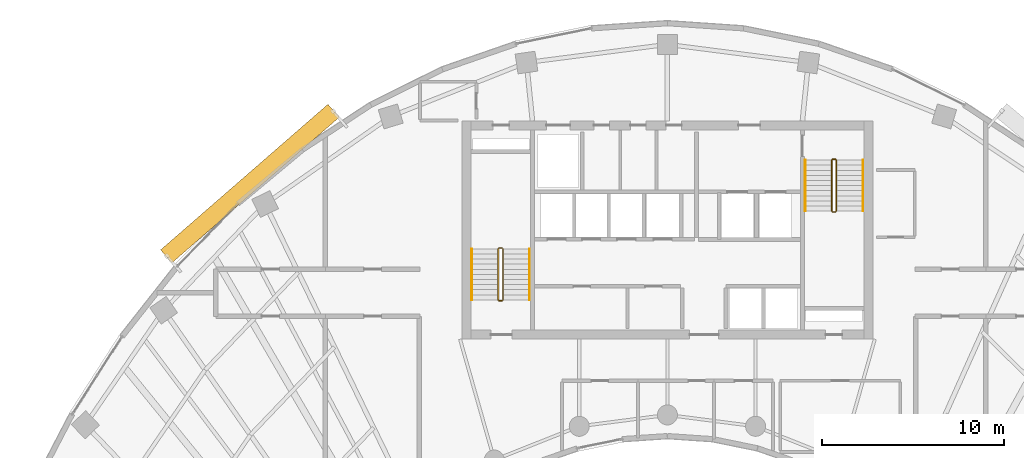
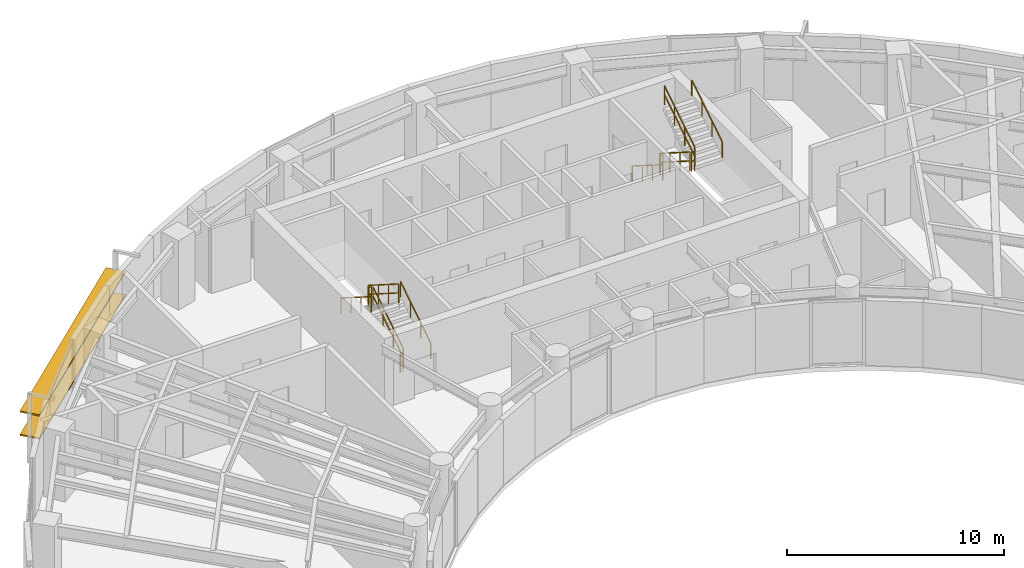
# One storey, part 13 of 14: 12 railings, 2 shading devices.
"""IFC4 building model written with IfcOpenShell, lengths in metres."""

import ifcopenshell
import ifcopenshell.guid

model = None  # the IFC model being written
_history = None  # IfcOwnerHistory: only IFC2X3 demands one
_inside = {}  # id of a spatial element -> (the spatial element, [elements in it])
_under = {}  # id of a project, library or spatial element -> (it, [spatial elements below it])
_declared = {}  # id of a project -> (the project, [libraries it declares])
_typed = {}  # id of a type object -> (the type object, [elements of that type])
_made_of = {}  # id of a material, layer set ... -> (it, [elements and type objects made of it])


def new_model(schema):
    """Start an empty IFC model of exactly this schema.

    Asked for "IFC4X3", IfcOpenShell would pick the latest addendum, in which some entities
    have other attributes; the version numbers below select the first issue.
    IFC2X3 requires an IfcOwnerHistory on every rooted entity: one is made here for all.
    """
    global model, _history
    if schema == "IFC4X3":
        model = ifcopenshell.file(schema_version=(4, 3, 0, 0))
    else:
        model = ifcopenshell.file(schema=schema)
    _inside.clear()
    _under.clear()
    _declared.clear()
    _typed.clear()
    _made_of.clear()
    _history = None
    if model.schema == "IFC2X3":
        org = make("IfcOrganization", Name="unknown")
        user = make(
            "IfcPersonAndOrganization",
            ThePerson=make("IfcPerson", FamilyName="unknown"),
            TheOrganization=org,
        )
        app = make(
            "IfcApplication",
            ApplicationDeveloper=org,
            Version="unknown",
            ApplicationFullName="unknown",
            ApplicationIdentifier="unknown",
        )
        _history = make(
            "IfcOwnerHistory",
            OwningUser=user,
            OwningApplication=app,
            ChangeAction="ADDED",
            CreationDate=0,
        )
    return model


def make(cls, **values):
    """One entity of the class cls with the attributes given. An attribute that is None is left unset."""
    return model.create_entity(
        cls, **{name: value for name, value in values.items() if value is not None}
    )


def rooted(cls, **values):
    """An entity with a GlobalId (a new one), such as an element, a storey or a relation."""
    return make(cls, GlobalId=ifcopenshell.guid.new(), OwnerHistory=_history, **values)


def si_unit(unit_type, name, prefix=None):
    """IfcSIUnit, for example si_unit("LENGTHUNIT", "METRE", prefix="MILLI")."""
    return make("IfcSIUnit", UnitType=unit_type, Prefix=prefix, Name=name)


def assignment(units):
    """IfcUnitAssignment: the units of a project."""
    return None if units is None else make("IfcUnitAssignment", Units=units)


def point(xyz):
    """IfcCartesianPoint."""
    return None if xyz is None else make("IfcCartesianPoint", Coordinates=xyz)


def direction(xyz):
    """IfcDirection."""
    return None if xyz is None else make("IfcDirection", DirectionRatios=xyz)


def frame(location, z_axis=None, x_axis=None):
    """IfcAxis2Placement3D, a coordinate frame: its origin and axes. An axis left out is left unset."""
    return make(
        "IfcAxis2Placement3D",
        Location=point(location),
        Axis=direction(z_axis),
        RefDirection=direction(x_axis),
    )


def frame_2d(location, x_axis=None):
    """IfcAxis2Placement2D, a coordinate frame in the plane: its origin and x axis."""
    return make(
        "IfcAxis2Placement2D", Location=point(location), RefDirection=direction(x_axis)
    )


def origin():
    """The frame at (0, 0, 0) with its axes left unset."""
    return frame((0.0, 0.0, 0.0))


def origin_2d():
    """The frame at (0, 0) in the plane with its x axis left unset."""
    return frame_2d((0.0, 0.0))


def place(relative_to, where):
    """IfcLocalPlacement: puts the frame where relative to a parent placement (None: the world)."""
    return make(
        "IfcLocalPlacement", PlacementRelTo=relative_to, RelativePlacement=where
    )


def context(
    kind, dimensions, precision=None, world=None, true_north=None, identifier=None
):
    """IfcGeometricRepresentationContext, for example the 3D "Model" context."""
    return make(
        "IfcGeometricRepresentationContext",
        ContextIdentifier=identifier,
        ContextType=kind,
        CoordinateSpaceDimension=dimensions,
        Precision=precision,
        WorldCoordinateSystem=world,
        TrueNorth=true_north,
    )


def subcontext(parent, identifier, kind, view, scale=None):
    """IfcGeometricRepresentationSubContext, for example "Body" below "Model"."""
    return make(
        "IfcGeometricRepresentationSubContext",
        ContextIdentifier=identifier,
        ContextType=kind,
        ParentContext=parent,
        TargetScale=scale,
        TargetView=view,
    )


def project(units=None, contexts=None):
    """IfcProject with its units and contexts."""
    return rooted(
        "IfcProject",
        Name="project",
        RepresentationContexts=contexts,
        UnitsInContext=assignment(units),
    )


def spatial(cls, under=None, at=None, **own):
    """A site, building, storey or space (cls), placed at a placement, below another one or the project."""
    s = rooted(cls, ObjectPlacement=at, **own)
    if under is not None:
        _under.setdefault(under.id(), (under, []))[1].append(s)
    return s


def profile(cls, at=None, kind="AREA", **sizes):
    """A parametric profile (cls). Its sizes go by their IFC names, for example OverallWidth=200.0."""
    return make(cls, ProfileType=kind, Position=at, **sizes)


def rectangle(**sizes):
    """IfcRectangleProfileDef."""
    return profile("IfcRectangleProfileDef", **sizes)


def extrude(swept, where, along, depth):
    """IfcExtrudedAreaSolid: the profile swept, set in the frame where, extruded along a direction by depth."""
    return make(
        "IfcExtrudedAreaSolid",
        SweptArea=swept,
        Position=where,
        ExtrudedDirection=direction(along),
        Depth=depth,
    )


def shape(context_of_items, identifier, shape_type, items):
    """IfcShapeRepresentation: the items that make up one representation, for example the "Body"."""
    return make(
        "IfcShapeRepresentation",
        ContextOfItems=context_of_items,
        RepresentationIdentifier=identifier,
        RepresentationType=shape_type,
        Items=items,
    )


def source(mapping_origin, context_of_items, identifier, shape_type, items):
    """IfcRepresentationMap: a shape defined once, which mapped items show again and again."""
    return make(
        "IfcRepresentationMap",
        MappingOrigin=mapping_origin,
        MappedRepresentation=shape(context_of_items, identifier, shape_type, items),
    )


def transform(
    local_origin,
    x_axis=None,
    y_axis=None,
    z_axis=None,
    scale=None,
    scale2=None,
    scale3=None,
    uniform=True,
):
    """IfcCartesianTransformationOperator3D, or its non-uniform kind. x_axis, y_axis, z_axis: its Axis1, 2, 3."""
    if uniform:
        return make(
            "IfcCartesianTransformationOperator3D",
            Axis1=direction(x_axis),
            Axis2=direction(y_axis),
            LocalOrigin=point(local_origin),
            Scale=scale,
            Axis3=direction(z_axis),
        )
    return make(
        "IfcCartesianTransformationOperator3DnonUniform",
        Axis1=direction(x_axis),
        Axis2=direction(y_axis),
        LocalOrigin=point(local_origin),
        Scale=scale,
        Axis3=direction(z_axis),
        Scale2=scale2,
        Scale3=scale3,
    )


def mapped(mapping_source, mapping_target):
    """IfcMappedItem: shows the shape of a source again, moved by a transform."""
    return make(
        "IfcMappedItem", MappingSource=mapping_source, MappingTarget=mapping_target
    )


def material(Name=None, Category=None):
    """IfcMaterial."""
    return make("IfcMaterial", Name=Name, Category=Category)


def material_profile(
    of_material, cross_section, Name=None, Category=None, Priority=None
):
    """IfcMaterialProfile: a cross section and its material."""
    return make(
        "IfcMaterialProfile",
        Name=Name,
        Material=of_material,
        Profile=cross_section,
        Priority=Priority,
        Category=Category,
    )


def profile_set(profiles, Name=None, composite=None):
    """IfcMaterialProfileSet."""
    return make(
        "IfcMaterialProfileSet",
        Name=Name,
        MaterialProfiles=profiles,
        CompositeProfile=composite,
    )


def made_of(thing, what):
    """Note that an element or type object is made of a material, layer set ...; save() writes the relation."""
    if what is not None:
        _made_of.setdefault(what.id(), (what, []))[1].append(thing)
    return thing


def type_object(cls, material=None, **own):
    """A type object (cls), such as IfcWallType, which elements share."""
    return made_of(rooted(cls, **own), material)


def type_shapes(of_type, sources):
    """Give a type object the sources (RepresentationMaps) that its elements show as mapped items."""
    of_type.RepresentationMaps = sources


def element(
    cls,
    number,
    at=None,
    inside=None,
    cuts=None,
    type_object=None,
    material=None,
    context=None,
    identifier="Body",
    shape_type=None,
    held_by="IfcProductDefinitionShape",
    body=None,
    shapes=None,
    **own,
):
    """One element of the class cls, such as IfcWall. Its Tag is "e" and its number.

    at: its placement. inside: the storey or other place that contains it. cuts: it is an
    opening in that element (IfcRelVoidsElement). A single representation is given by context,
    identifier, shape_type and body (its items); several are given by shapes. held_by: the class
    of the entity that holds the representations. save() writes the other relations.
    """
    e = rooted(cls, Tag="e%d" % number, ObjectPlacement=at, **own)
    if body is not None:
        shapes = [shape(context, identifier, shape_type, body)]
    if shapes is not None:
        e.Representation = make(held_by, Representations=shapes)
    if inside is not None:
        _inside.setdefault(inside.id(), (inside, []))[1].append(e)
    if cuts is not None:
        rooted(
            "IfcRelVoidsElement", RelatingBuildingElement=cuts, RelatedOpeningElement=e
        )
    if type_object is not None:
        _typed.setdefault(type_object.id(), (type_object, []))[1].append(e)
    return made_of(e, material)


def aggregate(whole, parts):
    """IfcRelAggregates: a whole, such as a stair, and the parts it consists of."""
    return rooted("IfcRelAggregates", RelatingObject=whole, RelatedObjects=parts)


def save(model, path):
    """Write the relations noted so far, then the file.

    IfcRelAggregates (storeys below a building ...), IfcRelContainedInSpatialStructure (elements
    in a storey), IfcRelDefinesByType, IfcRelAssociatesMaterial and IfcRelDeclares: one each for
    every whole, place, type object, material and project.
    """
    for whole, parts in _under.values():
        aggregate(whole, parts)
    for where, things in _inside.values():
        rooted(
            "IfcRelContainedInSpatialStructure",
            RelatedElements=things,
            RelatingStructure=where,
        )
    for kind, things in _typed.values():
        rooted("IfcRelDefinesByType", RelatedObjects=things, RelatingType=kind)
    for what, things in _made_of.values():
        rooted("IfcRelAssociatesMaterial", RelatedObjects=things, RelatingMaterial=what)
    for by, libraries in _declared.values():
        rooted("IfcRelDeclares", RelatingContext=by, RelatedDefinitions=libraries)
    model.write(path)


model = new_model("IFC4")

# Units and contexts
model_context = context("Model", 3, precision=1e-05, world=origin(), true_north=direction((0.0, 1.0)))
body_context = subcontext(model_context, "Body", "Model", "MODEL_VIEW")
ifc_project = project(units=[si_unit("LENGTHUNIT", "METRE"), si_unit("AREAUNIT", "SQUARE_METRE"), si_unit("VOLUMEUNIT", "CUBIC_METRE"), si_unit("PLANEANGLEUNIT", "RADIAN"), si_unit("MASSUNIT", "GRAM", prefix="KILO")], contexts=[model_context])

# Site, building, storey
site_placement = place(None, origin())
site = spatial("IfcSite", under=ifc_project, at=site_placement, CompositionType="ELEMENT")
building_placement = place(site_placement, origin())
building = spatial("IfcBuilding", under=site, at=building_placement, Name="Breltana Convention Tower", CompositionType="ELEMENT")
storey_placement = place(building_placement, frame((0.0, 0.0, 177.89990234375)))
storey = spatial("IfcBuildingStorey", under=building, at=storey_placement, Name="L43", CompositionType="ELEMENT", Elevation=177.89990234375)

# Railings
ifc_material_1 = material(Name="Steel S275 Painted", Category="steel")
railing_type_1 = type_object("IfcRailingType", Name="RL-STAIR-GUARD-1100", PredefinedType="GUARDRAIL", material=ifc_material_1)
railing_1_placement = place(storey_placement, frame((38.9599609375, 62.360107421875, 0.177490234375)))
element("IfcRailing", 1, at=railing_1_placement, inside=storey, type_object=railing_type_1, Name="L43 ST-1 stair guard 1", PredefinedType="GUARDRAIL", context=body_context, shape_type="SweptSolid", body=[
    extrude(rectangle(XDim=0.048095703125, YDim=0.048095703125, at=origin_2d()), frame((0.0, 0.0, 1.076171875), z_axis=(0.0, 0.844887892834, 0.53494340686), x_axis=(-1.0, 0.0, 0.0)), (0.0, 0.0, 1.0), 3.313720703125),
    extrude(rectangle(XDim=0.048095703125, YDim=0.048095703125, at=origin_2d()), frame((0.0, 0.0, 0.572021484375), z_axis=(0.0, 0.844887892834, 0.53494340686), x_axis=(-1.0, 0.0, 0.0)), (0.0, 0.0, 1.0), 3.313720703125),
    extrude(rectangle(XDim=0.0419921875, YDim=0.0419921875, at=origin_2d()), origin(), (0.0, 0.0, 1.0), 1.052001953125),
    extrude(rectangle(XDim=0.0419921875, YDim=0.0419921875, at=origin_2d()), frame((0.0, 0.933349609375, 0.5908203125)), (0.0, 0.0, 1.0), 1.052001953125),
    extrude(rectangle(XDim=0.0419921875, YDim=0.0419921875, at=origin_2d()), frame((0.0, 1.866455078125, 1.181884765625)), (0.0, 0.0, 1.0), 1.052001953125),
    extrude(rectangle(XDim=0.0419921875, YDim=0.0419921875, at=origin_2d()), frame((0.0, 2.7998046875, 1.772705078125)), (0.0, 0.0, 1.0), 1.052001953125),
])
railing_2_placement = place(storey_placement, frame((38.909912109375, 65.2099609375, 1.9501953125)))
element("IfcRailing", 2, at=railing_2_placement, inside=storey, type_object=railing_type_1, Name="L43 ST-1 stair guard 2", PredefinedType="GUARDRAIL", context=body_context, shape_type="SweptSolid", body=[
    extrude(rectangle(XDim=0.048095703125, YDim=0.048095703125, at=origin_2d()), frame((0.0, 0.0, 1.076171875), z_axis=(-1.0, 0.0, 0.0), x_axis=(0.0, -1.0, 0.0)), (0.0, 0.0, 1.0), 0.14990234375),
    extrude(rectangle(XDim=0.048095703125, YDim=0.048095703125, at=origin_2d()), frame((0.0, 0.0, 0.572021484375), z_axis=(-1.0, 0.0, 0.0), x_axis=(0.0, -1.0, 0.0)), (0.0, 0.0, 1.0), 0.14990234375),
    extrude(rectangle(XDim=0.0419921875, YDim=0.0419921875, at=origin_2d()), origin(), (0.0, 0.0, 1.0), 1.052001953125),
    extrude(rectangle(XDim=0.0419921875, YDim=0.0419921875, at=origin_2d()), frame((-0.14990234375, 0.0, 0.0)), (0.0, 0.0, 1.0), 1.052001953125),
])
railing_3_placement = place(storey_placement, frame((38.7099609375, 65.159912109375, 2.12744140625)))
element("IfcRailing", 3, at=railing_3_placement, inside=storey, type_object=railing_type_1, Name="L43 ST-1 stair guard 3", PredefinedType="GUARDRAIL", context=body_context, shape_type="SweptSolid", body=[
    extrude(rectangle(XDim=0.048095703125, YDim=0.048095703125, at=origin_2d()), frame((0.0, 0.0, 1.076171875), z_axis=(0.0, -0.844887892834, 0.53494340686), x_axis=(1.0, 0.0, 0.0)), (0.0, 0.0, 1.0), 3.313720703125),
    extrude(rectangle(XDim=0.048095703125, YDim=0.048095703125, at=origin_2d()), frame((0.0, 0.0, 0.572021484375), z_axis=(0.0, -0.844887892834, 0.53494340686), x_axis=(1.0, 0.0, 0.0)), (0.0, 0.0, 1.0), 3.313720703125),
    extrude(rectangle(XDim=0.0419921875, YDim=0.0419921875, at=origin_2d()), origin(), (0.0, 0.0, 1.0), 1.052001953125),
    extrude(rectangle(XDim=0.0419921875, YDim=0.0419921875, at=origin_2d()), frame((0.0, -0.933349609375, 0.5908203125)), (0.0, 0.0, 1.0), 1.052001953125),
    extrude(rectangle(XDim=0.0419921875, YDim=0.0419921875, at=origin_2d()), frame((0.0, -1.866455078125, 1.181884765625)), (0.0, 0.0, 1.0), 1.052001953125),
    extrude(rectangle(XDim=0.0419921875, YDim=0.0419921875, at=origin_2d()), frame((0.0, -2.7998046875, 1.772705078125)), (0.0, 0.0, 1.0), 1.052001953125),
])
railing_4_placement = place(storey_placement, frame((38.909912109375, 62.31005859375, 0.0)))
element("IfcRailing", 4, at=railing_4_placement, inside=storey, type_object=railing_type_1, Name="L43 ST-1 stair guard 4", PredefinedType="GUARDRAIL", context=body_context, shape_type="SweptSolid", body=[
    extrude(rectangle(XDim=0.048095703125, YDim=0.048095703125, at=origin_2d()), frame((0.0, 0.0, 1.076171875), z_axis=(-1.0, 0.0, 0.0), x_axis=(0.0, -1.0, 0.0)), (0.0, 0.0, 1.0), 0.14990234375),
    extrude(rectangle(XDim=0.048095703125, YDim=0.048095703125, at=origin_2d()), frame((0.0, 0.0, 0.572021484375), z_axis=(-1.0, 0.0, 0.0), x_axis=(0.0, -1.0, 0.0)), (0.0, 0.0, 1.0), 0.14990234375),
    extrude(rectangle(XDim=0.0419921875, YDim=0.0419921875, at=origin_2d()), origin(), (0.0, 0.0, 1.0), 1.052001953125),
    extrude(rectangle(XDim=0.0419921875, YDim=0.0419921875, at=origin_2d()), frame((-0.14990234375, 0.0, 0.0)), (0.0, 0.0, 1.0), 1.052001953125),
])
railing_5_placement = place(storey_placement, frame((57.0400390625, 70.0400390625, 0.177490234375)))
element("IfcRailing", 5, at=railing_5_placement, inside=storey, type_object=railing_type_1, Name="L43 ST-2 stair guard 1", PredefinedType="GUARDRAIL", context=body_context, shape_type="SweptSolid", body=[
    extrude(rectangle(XDim=0.048095703125, YDim=0.048095703125, at=origin_2d()), frame((0.0, 0.0, 1.076171875), z_axis=(0.0, -0.844908973607, 0.534910110503), x_axis=(1.0, 0.0, 0.0)), (0.0, 0.0, 1.0), 3.31396484375),
    extrude(rectangle(XDim=0.048095703125, YDim=0.048095703125, at=origin_2d()), frame((0.0, 0.0, 0.572021484375), z_axis=(0.0, -0.844908973607, 0.534910110503), x_axis=(1.0, 0.0, 0.0)), (0.0, 0.0, 1.0), 3.31396484375),
    extrude(rectangle(XDim=0.0419921875, YDim=0.0419921875, at=origin_2d()), origin(), (0.0, 0.0, 1.0), 1.052001953125),
    extrude(rectangle(XDim=0.0419921875, YDim=0.0419921875, at=origin_2d()), frame((0.0, -0.933349609375, 0.5908203125)), (0.0, 0.0, 1.0), 1.052001953125),
    extrude(rectangle(XDim=0.0419921875, YDim=0.0419921875, at=origin_2d()), frame((0.0, -1.86669921875, 1.181884765625)), (0.0, 0.0, 1.0), 1.052001953125),
    extrude(rectangle(XDim=0.0419921875, YDim=0.0419921875, at=origin_2d()), frame((0.0, -2.800048828125, 1.772705078125)), (0.0, 0.0, 1.0), 1.052001953125),
])
railing_6_placement = place(storey_placement, frame((57.090087890625, 67.18994140625, 1.9501953125)))
element("IfcRailing", 6, at=railing_6_placement, inside=storey, type_object=railing_type_1, Name="L43 ST-2 stair guard 2", PredefinedType="GUARDRAIL", context=body_context, shape_type="SweptSolid", body=[
    extrude(rectangle(XDim=0.048095703125, YDim=0.048095703125, at=origin_2d()), frame((0.0, 0.0, 1.076171875), z_axis=(1.0, 0.0, 0.0), x_axis=(0.0, 1.0, 0.0)), (0.0, 0.0, 1.0), 0.14990234375),
    extrude(rectangle(XDim=0.048095703125, YDim=0.048095703125, at=origin_2d()), frame((0.0, 0.0, 0.572021484375), z_axis=(1.0, 0.0, 0.0), x_axis=(0.0, 1.0, 0.0)), (0.0, 0.0, 1.0), 0.14990234375),
    extrude(rectangle(XDim=0.0419921875, YDim=0.0419921875, at=origin_2d()), origin(), (0.0, 0.0, 1.0), 1.052001953125),
    extrude(rectangle(XDim=0.0419921875, YDim=0.0419921875, at=origin_2d()), frame((0.14990234375, 0.0, 0.0)), (0.0, 0.0, 1.0), 1.052001953125),
])
railing_7_placement = place(storey_placement, frame((57.2900390625, 67.239990234375, 2.12744140625)))
element("IfcRailing", 7, at=railing_7_placement, inside=storey, type_object=railing_type_1, Name="L43 ST-2 stair guard 3", PredefinedType="GUARDRAIL", context=body_context, shape_type="SweptSolid", body=[
    extrude(rectangle(XDim=0.048095703125, YDim=0.048095703125, at=origin_2d()), frame((0.0, 0.0, 1.076171875), z_axis=(0.0, 0.844908973607, 0.534910110503), x_axis=(-1.0, 0.0, 0.0)), (0.0, 0.0, 1.0), 3.31396484375),
    extrude(rectangle(XDim=0.048095703125, YDim=0.048095703125, at=origin_2d()), frame((0.0, 0.0, 0.572021484375), z_axis=(0.0, 0.844908973607, 0.534910110503), x_axis=(-1.0, 0.0, 0.0)), (0.0, 0.0, 1.0), 3.31396484375),
    extrude(rectangle(XDim=0.0419921875, YDim=0.0419921875, at=origin_2d()), origin(), (0.0, 0.0, 1.0), 1.052001953125),
    extrude(rectangle(XDim=0.0419921875, YDim=0.0419921875, at=origin_2d()), frame((0.0, 0.933349609375, 0.5908203125)), (0.0, 0.0, 1.0), 1.052001953125),
    extrude(rectangle(XDim=0.0419921875, YDim=0.0419921875, at=origin_2d()), frame((0.0, 1.86669921875, 1.181884765625)), (0.0, 0.0, 1.0), 1.052001953125),
    extrude(rectangle(XDim=0.0419921875, YDim=0.0419921875, at=origin_2d()), frame((0.0, 2.800048828125, 1.772705078125)), (0.0, 0.0, 1.0), 1.052001953125),
])
railing_8_placement = place(storey_placement, frame((57.090087890625, 70.090087890625, 0.0)))
element("IfcRailing", 8, at=railing_8_placement, inside=storey, type_object=railing_type_1, Name="L43 ST-2 stair guard 4", PredefinedType="GUARDRAIL", context=body_context, shape_type="SweptSolid", body=[
    extrude(rectangle(XDim=0.048095703125, YDim=0.048095703125, at=origin_2d()), frame((0.0, 0.0, 1.076171875), z_axis=(1.0, 0.0, 0.0), x_axis=(0.0, 1.0, 0.0)), (0.0, 0.0, 1.0), 0.14990234375),
    extrude(rectangle(XDim=0.048095703125, YDim=0.048095703125, at=origin_2d()), frame((0.0, 0.0, 0.572021484375), z_axis=(1.0, 0.0, 0.0), x_axis=(0.0, 1.0, 0.0)), (0.0, 0.0, 1.0), 0.14990234375),
    extrude(rectangle(XDim=0.0419921875, YDim=0.0419921875, at=origin_2d()), origin(), (0.0, 0.0, 1.0), 1.052001953125),
    extrude(rectangle(XDim=0.0419921875, YDim=0.0419921875, at=origin_2d()), frame((0.14990234375, 0.0, 0.0)), (0.0, 0.0, 1.0), 1.052001953125),
])
ifc_material_2 = material(Name="Stainless Steel 316L", Category="steel")
railing_type_2 = type_object("IfcRailingType", Name="RL-STAIR-HANDRAIL-900", PredefinedType="HANDRAIL", material=ifc_material_2)
railing_9_placement = place(storey_placement, frame((40.419921875, 62.360107421875, 0.177490234375)))
element("IfcRailing", 9, at=railing_9_placement, inside=storey, type_object=railing_type_2, Name="L43 ST-1 stair handrail 1", PredefinedType="HANDRAIL", context=body_context, shape_type="SweptSolid", body=[
    extrude(rectangle(XDim=0.048095703125, YDim=0.048095703125, at=origin_2d()), frame((0.0, 0.0, 0.8759765625), z_axis=(0.0, 0.844887892834, 0.53494340686), x_axis=(-1.0, 0.0, 0.0)), (0.0, 0.0, 1.0), 3.313720703125),
    extrude(rectangle(XDim=0.0419921875, YDim=0.0419921875, at=origin_2d()), origin(), (0.0, 0.0, 1.0), 0.851806640625),
    extrude(rectangle(XDim=0.0419921875, YDim=0.0419921875, at=origin_2d()), frame((0.0, 0.933349609375, 0.5908203125)), (0.0, 0.0, 1.0), 0.851806640625),
    extrude(rectangle(XDim=0.0419921875, YDim=0.0419921875, at=origin_2d()), frame((0.0, 1.866455078125, 1.181884765625)), (0.0, 0.0, 1.0), 0.851806640625),
    extrude(rectangle(XDim=0.0419921875, YDim=0.0419921875, at=origin_2d()), frame((0.0, 2.7998046875, 1.772705078125)), (0.0, 0.0, 1.0), 0.851806640625),
])
railing_10_placement = place(storey_placement, frame((37.25, 65.159912109375, 2.12744140625)))
element("IfcRailing", 10, at=railing_10_placement, inside=storey, type_object=railing_type_2, Name="L43 ST-1 stair handrail 2", PredefinedType="HANDRAIL", context=body_context, shape_type="SweptSolid", body=[
    extrude(rectangle(XDim=0.048095703125, YDim=0.048095703125, at=origin_2d()), frame((0.0, 0.0, 0.8759765625), z_axis=(0.0, -0.844887892834, 0.53494340686), x_axis=(1.0, 0.0, 0.0)), (0.0, 0.0, 1.0), 3.313720703125),
    extrude(rectangle(XDim=0.0419921875, YDim=0.0419921875, at=origin_2d()), origin(), (0.0, 0.0, 1.0), 0.851806640625),
    extrude(rectangle(XDim=0.0419921875, YDim=0.0419921875, at=origin_2d()), frame((0.0, -0.933349609375, 0.5908203125)), (0.0, 0.0, 1.0), 0.851806640625),
    extrude(rectangle(XDim=0.0419921875, YDim=0.0419921875, at=origin_2d()), frame((0.0, -1.866455078125, 1.181884765625)), (0.0, 0.0, 1.0), 0.851806640625),
    extrude(rectangle(XDim=0.0419921875, YDim=0.0419921875, at=origin_2d()), frame((0.0, -2.7998046875, 1.772705078125)), (0.0, 0.0, 1.0), 0.851806640625),
])
railing_11_placement = place(storey_placement, frame((55.580078125, 70.0400390625, 0.177490234375)))
element("IfcRailing", 11, at=railing_11_placement, inside=storey, type_object=railing_type_2, Name="L43 ST-2 stair handrail 1", PredefinedType="HANDRAIL", context=body_context, shape_type="SweptSolid", body=[
    extrude(rectangle(XDim=0.048095703125, YDim=0.048095703125, at=origin_2d()), frame((0.0, 0.0, 0.8759765625), z_axis=(0.0, -0.844908973607, 0.534910110503), x_axis=(1.0, 0.0, 0.0)), (0.0, 0.0, 1.0), 3.31396484375),
    extrude(rectangle(XDim=0.0419921875, YDim=0.0419921875, at=origin_2d()), origin(), (0.0, 0.0, 1.0), 0.851806640625),
    extrude(rectangle(XDim=0.0419921875, YDim=0.0419921875, at=origin_2d()), frame((0.0, -0.933349609375, 0.5908203125)), (0.0, 0.0, 1.0), 0.851806640625),
    extrude(rectangle(XDim=0.0419921875, YDim=0.0419921875, at=origin_2d()), frame((0.0, -1.86669921875, 1.181884765625)), (0.0, 0.0, 1.0), 0.851806640625),
    extrude(rectangle(XDim=0.0419921875, YDim=0.0419921875, at=origin_2d()), frame((0.0, -2.800048828125, 1.772705078125)), (0.0, 0.0, 1.0), 0.851806640625),
])
railing_12_placement = place(storey_placement, frame((58.75, 67.239990234375, 2.12744140625)))
element("IfcRailing", 12, at=railing_12_placement, inside=storey, type_object=railing_type_2, Name="L43 ST-2 stair handrail 2", PredefinedType="HANDRAIL", context=body_context, shape_type="SweptSolid", body=[
    extrude(rectangle(XDim=0.048095703125, YDim=0.048095703125, at=origin_2d()), frame((0.0, 0.0, 0.8759765625), z_axis=(0.0, 0.844908973607, 0.534910110503), x_axis=(-1.0, 0.0, 0.0)), (0.0, 0.0, 1.0), 3.31396484375),
    extrude(rectangle(XDim=0.0419921875, YDim=0.0419921875, at=origin_2d()), origin(), (0.0, 0.0, 1.0), 0.851806640625),
    extrude(rectangle(XDim=0.0419921875, YDim=0.0419921875, at=origin_2d()), frame((0.0, 0.933349609375, 0.5908203125)), (0.0, 0.0, 1.0), 0.851806640625),
    extrude(rectangle(XDim=0.0419921875, YDim=0.0419921875, at=origin_2d()), frame((0.0, 1.86669921875, 1.181884765625)), (0.0, 0.0, 1.0), 0.851806640625),
    extrude(rectangle(XDim=0.0419921875, YDim=0.0419921875, at=origin_2d()), frame((0.0, 2.800048828125, 1.772705078125)), (0.0, 0.0, 1.0), 0.851806640625),
])

# Shading devices
ifc_material_3 = material(Name="Limestone Warm Buff Honed", Category="masonry")
ifc_material_profile = material_profile(ifc_material_3, rectangle(XDim=0.949951171875, YDim=0.080078125, at=origin_2d()), Name="STN-LVR-950X80")
ifc_profile_set = profile_set([ifc_material_profile], Name="Limestone Warm Buff Honed")
shading_device_type = type_object("IfcShadingDeviceType", Name="SHD-OUTER-SKIN-LIMESTONE-950", PredefinedType="JALOUSIE", material=ifc_profile_set)
shared_shape = source(origin(), body_context, "Body", "SweptSolid", [
    extrude(rectangle(XDim=0.949951171875, YDim=0.080078125, at=origin_2d()), origin(), (0.0, 0.0, 1.0), 12.1943359375),
])
type_shapes(shading_device_type, [shared_shape])
for number, where, z_axis, x_axis, name in (
    (13, (20.451904296875, 64.74951171875, 1.314208984375), (0.754361083307, 0.656459713914, 0.0), (-0.656459713914, 0.754361083307, 0.0), "L43 outer skin warm limestone louvre 1.1"),
    (14, (20.451904296875, 64.74951171875, 2.628173828125), (0.754361083307, 0.656459713914, 0.0), (-0.656459713914, 0.754361083307, 0.0), "L43 outer skin warm limestone louvre 1.2"),
):
    element("IfcShadingDevice", number, at=place(storey_placement, frame(where, z_axis=z_axis, x_axis=x_axis)), inside=storey, type_object=shading_device_type, Name=name, PredefinedType="JALOUSIE", context=body_context, shape_type="MappedRepresentation", body=[
        mapped(shared_shape, transform((0.0, 0.0, 0.0), scale=1.0)),
    ])

save(model, "model.ifc")
